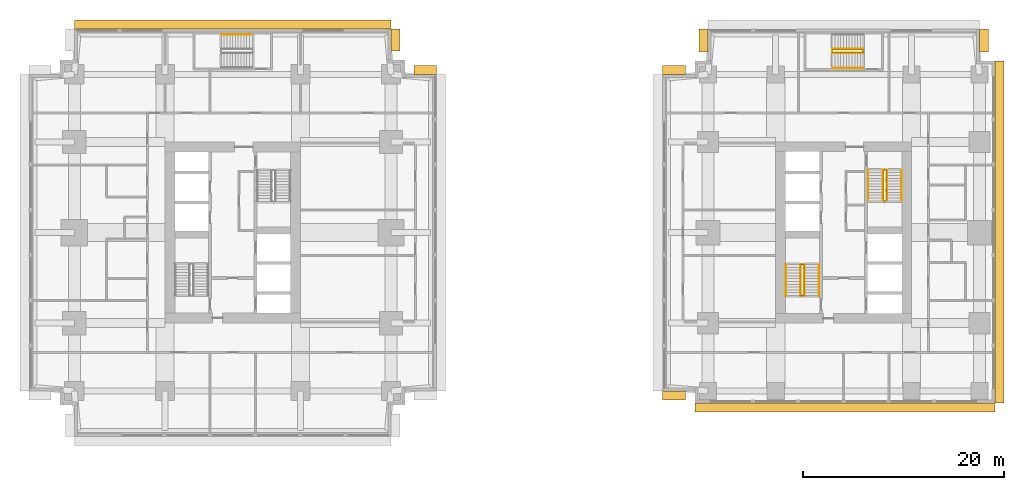
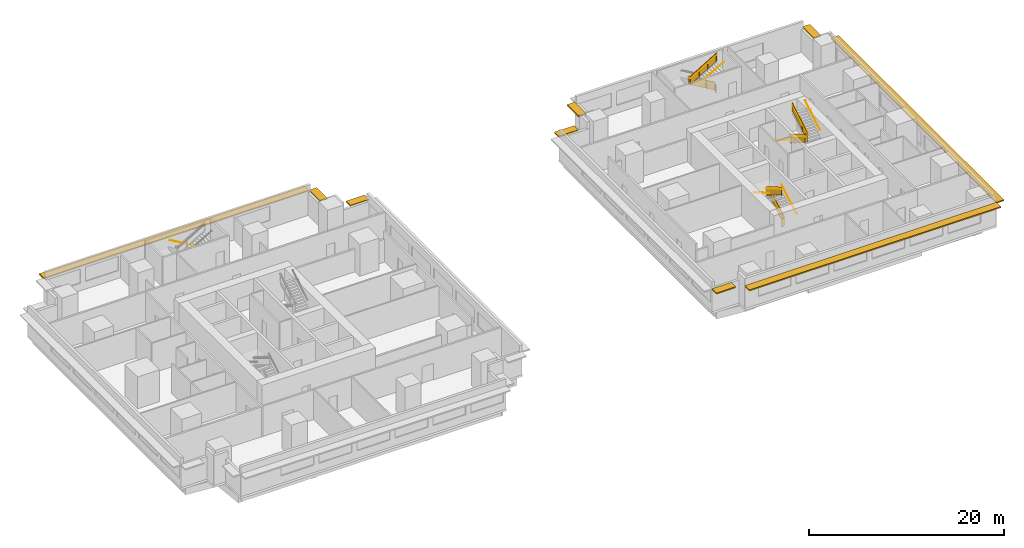
# One storey, part 10 of 11: 15 railings, 9 shading devices.
"""IFC4 building model written with IfcOpenShell, lengths in metres."""

from ifc_helpers import new_model, si_unit, direction, frame, origin, origin_2d, place, context, subcontext, project, spatial, polyline, rectangle, circle, outline, extrude, material, layer, layer_set, type_object, element, save


model = new_model("IFC4")

# Units and contexts
model_context = context("Model", 3, precision=1e-05, world=origin(), true_north=direction((0.0, 1.0)))
body_context = subcontext(model_context, "Body", "Model", "MODEL_VIEW")
ifc_project = project(units=[si_unit("LENGTHUNIT", "METRE"), si_unit("AREAUNIT", "SQUARE_METRE"), si_unit("VOLUMEUNIT", "CUBIC_METRE"), si_unit("PLANEANGLEUNIT", "RADIAN"), si_unit("MASSUNIT", "GRAM", prefix="KILO")], contexts=[model_context])

# Site, building, storey
site_placement = place(None, origin())
site = spatial("IfcSite", under=ifc_project, at=site_placement, CompositionType="ELEMENT")
building_placement = place(site_placement, origin())
building = spatial("IfcBuilding", under=site, at=building_placement, Name="Namib Vertical Campus", CompositionType="ELEMENT")
storey_placement = place(building_placement, frame((0.0, 0.0, 97.0)))
storey = spatial("IfcBuildingStorey", under=building, at=storey_placement, Name="L22", CompositionType="ELEMENT", Elevation=97.0)

# Railings
ifc_material_1 = material(Name="Steel handrail", Category="steel")
railing_type_1 = type_object("IfcRailingType", Name="Handrail 900", PredefinedType="HANDRAIL", material=ifc_material_1)
railing_1_placement = place(storey_placement, frame((78.550048828125, 14.0, 0.166748046875)))
element("IfcRailing", 1, at=railing_1_placement, inside=storey, type_object=railing_type_1, Name="Handrail HR1 B-S1 L22 1", PredefinedType="HANDRAIL", context=body_context, shape_type="SweptSolid", body=[
    extrude(circle(Radius=0.02392578125, at=origin_2d()), frame((0.0, 0.0, 0.8759765625), z_axis=(0.0, 0.859308565015, 0.511457515432), x_axis=(-1.0, 0.0, 0.0)), (0.0, 0.0, 1.0), 3.58447265625),
    extrude(circle(Radius=0.008056640625, at=origin_2d()), frame((0.0, 0.0, 0.8759765625), z_axis=(1.0, 0.0, 0.0), x_axis=(0.0, 0.0, 1.0)), (0.0, 0.0, 1.0), 0.050048828125),
    extrude(circle(Radius=0.008056640625, at=origin_2d()), frame((0.0, 1.026611328125, 1.48681640625), z_axis=(1.0, 0.0, 0.0), x_axis=(0.0, 0.0, 1.0)), (0.0, 0.0, 1.0), 0.050048828125),
    extrude(circle(Radius=0.008056640625, at=origin_2d()), frame((0.0, 2.053466796875, 2.09814453125), z_axis=(1.0, 0.0, 0.0), x_axis=(0.0, 0.0, 1.0)), (0.0, 0.0, 1.0), 0.050048828125),
    extrude(circle(Radius=0.008056640625, at=origin_2d()), frame((0.0, 3.080078125, 2.708984375), z_axis=(1.0, 0.0, 0.0), x_axis=(0.0, 0.0, 1.0)), (0.0, 0.0, 1.0), 0.050048828125),
])
railing_2_placement = place(storey_placement, frame((75.25, 17.080078125, 2.166748046875)))
element("IfcRailing", 2, at=railing_2_placement, inside=storey, type_object=railing_type_1, Name="Handrail HR1 B-S1 L22 2", PredefinedType="HANDRAIL", context=body_context, shape_type="SweptSolid", body=[
    extrude(circle(Radius=0.02392578125, at=origin_2d()), frame((0.0, 0.0, 0.8759765625), z_axis=(0.0, -0.859308565015, 0.511457515432), x_axis=(1.0, 0.0, 0.0)), (0.0, 0.0, 1.0), 3.58447265625),
    extrude(circle(Radius=0.008056640625, at=origin_2d()), frame((0.0, 0.0, 0.8759765625), z_axis=(-1.0, 0.0, 0.0), x_axis=(0.0, 0.0, 1.0)), (0.0, 0.0, 1.0), 0.050048828125),
    extrude(circle(Radius=0.008056640625, at=origin_2d()), frame((0.0, -1.026611328125, 1.48681640625), z_axis=(-1.0, 0.0, 0.0), x_axis=(0.0, 0.0, 1.0)), (0.0, 0.0, 1.0), 0.050048828125),
    extrude(circle(Radius=0.008056640625, at=origin_2d()), frame((0.0, -2.053466796875, 2.09814453125), z_axis=(-1.0, 0.0, 0.0), x_axis=(0.0, 0.0, 1.0)), (0.0, 0.0, 1.0), 0.050048828125),
    extrude(circle(Radius=0.008056640625, at=origin_2d()), frame((0.0, -3.080078125, 2.708984375), z_axis=(-1.0, 0.0, 0.0), x_axis=(0.0, 0.0, 1.0)), (0.0, 0.0, 1.0), 0.050048828125),
])
railing_3_placement = place(storey_placement, frame((77.10009765625, 14.0, 0.166748046875)))
element("IfcRailing", 3, at=railing_3_placement, inside=storey, type_object=railing_type_1, Name="Handrail HR1 B-S1 L22 1 at the well", PredefinedType="HANDRAIL", context=body_context, shape_type="SweptSolid", body=[
    extrude(circle(Radius=0.02392578125, at=origin_2d()), frame((0.0, 0.0, 0.8759765625), z_axis=(0.0, 0.859308565015, 0.511457515432), x_axis=(-1.0, 0.0, 0.0)), (0.0, 0.0, 1.0), 3.58447265625),
    extrude(circle(Radius=0.008056640625, at=origin_2d()), frame((0.0, 0.0, 0.8759765625), z_axis=(-1.0, 0.0, 0.0), x_axis=(0.0, 0.0, 1.0)), (0.0, 0.0, 1.0), 0.0400390625),
    extrude(circle(Radius=0.008056640625, at=origin_2d()), frame((0.0, 1.026611328125, 1.48681640625), z_axis=(-1.0, 0.0, 0.0), x_axis=(0.0, 0.0, 1.0)), (0.0, 0.0, 1.0), 0.0400390625),
    extrude(circle(Radius=0.008056640625, at=origin_2d()), frame((0.0, 2.053466796875, 2.09814453125), z_axis=(-1.0, 0.0, 0.0), x_axis=(0.0, 0.0, 1.0)), (0.0, 0.0, 1.0), 0.0400390625),
    extrude(circle(Radius=0.008056640625, at=origin_2d()), frame((0.0, 3.080078125, 2.708984375), z_axis=(-1.0, 0.0, 0.0), x_axis=(0.0, 0.0, 1.0)), (0.0, 0.0, 1.0), 0.0400390625),
])
railing_4_placement = place(storey_placement, frame((76.699951171875, 17.080078125, 2.166748046875)))
element("IfcRailing", 4, at=railing_4_placement, inside=storey, type_object=railing_type_1, Name="Handrail HR1 B-S1 L22 2 at the well", PredefinedType="HANDRAIL", context=body_context, shape_type="SweptSolid", body=[
    extrude(circle(Radius=0.02392578125, at=origin_2d()), frame((0.0, 0.0, 0.8759765625), z_axis=(0.0, -0.859308565015, 0.511457515432), x_axis=(1.0, 0.0, 0.0)), (0.0, 0.0, 1.0), 3.58447265625),
    extrude(circle(Radius=0.008056640625, at=origin_2d()), frame((0.0, 0.0, 0.8759765625), z_axis=(1.0, 0.0, 0.0), x_axis=(0.0, 0.0, 1.0)), (0.0, 0.0, 1.0), 0.0400390625),
    extrude(circle(Radius=0.008056640625, at=origin_2d()), frame((0.0, -1.026611328125, 1.48681640625), z_axis=(1.0, 0.0, 0.0), x_axis=(0.0, 0.0, 1.0)), (0.0, 0.0, 1.0), 0.0400390625),
    extrude(circle(Radius=0.008056640625, at=origin_2d()), frame((0.0, -2.053466796875, 2.09814453125), z_axis=(1.0, 0.0, 0.0), x_axis=(0.0, 0.0, 1.0)), (0.0, 0.0, 1.0), 0.0400390625),
    extrude(circle(Radius=0.008056640625, at=origin_2d()), frame((0.0, -3.080078125, 2.708984375), z_axis=(1.0, 0.0, 0.0), x_axis=(0.0, 0.0, 1.0)), (0.0, 0.0, 1.0), 0.0400390625),
])
railing_5_placement = place(storey_placement, frame((83.449951171875, 26.5, 0.166748046875)))
element("IfcRailing", 5, at=railing_5_placement, inside=storey, type_object=railing_type_1, Name="Handrail HR1 B-S2 L22 1", PredefinedType="HANDRAIL", context=body_context, shape_type="SweptSolid", body=[
    extrude(circle(Radius=0.02392578125, at=origin_2d()), frame((0.0, 0.0, 0.8759765625), z_axis=(0.0, -0.859308565015, 0.511457515432), x_axis=(1.0, 0.0, 0.0)), (0.0, 0.0, 1.0), 3.58447265625),
    extrude(circle(Radius=0.008056640625, at=origin_2d()), frame((0.0, 0.0, 0.8759765625), z_axis=(-1.0, 0.0, 0.0), x_axis=(0.0, 0.0, 1.0)), (0.0, 0.0, 1.0), 0.050048828125),
    extrude(circle(Radius=0.008056640625, at=origin_2d()), frame((0.0, -1.026611328125, 1.48681640625), z_axis=(-1.0, 0.0, 0.0), x_axis=(0.0, 0.0, 1.0)), (0.0, 0.0, 1.0), 0.050048828125),
    extrude(circle(Radius=0.008056640625, at=origin_2d()), frame((0.0, -2.053466796875, 2.09814453125), z_axis=(-1.0, 0.0, 0.0), x_axis=(0.0, 0.0, 1.0)), (0.0, 0.0, 1.0), 0.050048828125),
    extrude(circle(Radius=0.008056640625, at=origin_2d()), frame((0.0, -3.080078125, 2.708984375), z_axis=(-1.0, 0.0, 0.0), x_axis=(0.0, 0.0, 1.0)), (0.0, 0.0, 1.0), 0.050048828125),
])
railing_6_placement = place(storey_placement, frame((86.75, 23.419921875, 2.166748046875)))
element("IfcRailing", 6, at=railing_6_placement, inside=storey, type_object=railing_type_1, Name="Handrail HR1 B-S2 L22 2", PredefinedType="HANDRAIL", context=body_context, shape_type="SweptSolid", body=[
    extrude(circle(Radius=0.02392578125, at=origin_2d()), frame((0.0, 0.0, 0.8759765625), z_axis=(0.0, 0.859308565015, 0.511457515432), x_axis=(-1.0, 0.0, 0.0)), (0.0, 0.0, 1.0), 3.58447265625),
    extrude(circle(Radius=0.008056640625, at=origin_2d()), frame((0.0, 0.0, 0.8759765625), z_axis=(1.0, 0.0, 0.0), x_axis=(0.0, 0.0, 1.0)), (0.0, 0.0, 1.0), 0.050048828125),
    extrude(circle(Radius=0.008056640625, at=origin_2d()), frame((0.0, 1.026611328125, 1.48681640625), z_axis=(1.0, 0.0, 0.0), x_axis=(0.0, 0.0, 1.0)), (0.0, 0.0, 1.0), 0.050048828125),
    extrude(circle(Radius=0.008056640625, at=origin_2d()), frame((0.0, 2.053466796875, 2.09814453125), z_axis=(1.0, 0.0, 0.0), x_axis=(0.0, 0.0, 1.0)), (0.0, 0.0, 1.0), 0.050048828125),
    extrude(circle(Radius=0.008056640625, at=origin_2d()), frame((0.0, 3.080078125, 2.708984375), z_axis=(1.0, 0.0, 0.0), x_axis=(0.0, 0.0, 1.0)), (0.0, 0.0, 1.0), 0.050048828125),
])
railing_7_placement = place(storey_placement, frame((84.89990234375, 26.5, 0.166748046875)))
element("IfcRailing", 7, at=railing_7_placement, inside=storey, type_object=railing_type_1, Name="Handrail HR1 B-S2 L22 1 at the well", PredefinedType="HANDRAIL", context=body_context, shape_type="SweptSolid", body=[
    extrude(circle(Radius=0.02392578125, at=origin_2d()), frame((0.0, 0.0, 0.8759765625), z_axis=(0.0, -0.859308565015, 0.511457515432), x_axis=(1.0, 0.0, 0.0)), (0.0, 0.0, 1.0), 3.58447265625),
    extrude(circle(Radius=0.008056640625, at=origin_2d()), frame((0.0, 0.0, 0.8759765625), z_axis=(1.0, 0.0, 0.0), x_axis=(0.0, 0.0, 1.0)), (0.0, 0.0, 1.0), 0.0400390625),
    extrude(circle(Radius=0.008056640625, at=origin_2d()), frame((0.0, -1.026611328125, 1.48681640625), z_axis=(1.0, 0.0, 0.0), x_axis=(0.0, 0.0, 1.0)), (0.0, 0.0, 1.0), 0.0400390625),
    extrude(circle(Radius=0.008056640625, at=origin_2d()), frame((0.0, -2.053466796875, 2.09814453125), z_axis=(1.0, 0.0, 0.0), x_axis=(0.0, 0.0, 1.0)), (0.0, 0.0, 1.0), 0.0400390625),
    extrude(circle(Radius=0.008056640625, at=origin_2d()), frame((0.0, -3.080078125, 2.708984375), z_axis=(1.0, 0.0, 0.0), x_axis=(0.0, 0.0, 1.0)), (0.0, 0.0, 1.0), 0.0400390625),
])
railing_8_placement = place(storey_placement, frame((85.300048828125, 23.419921875, 2.166748046875)))
element("IfcRailing", 8, at=railing_8_placement, inside=storey, type_object=railing_type_1, Name="Handrail HR1 B-S2 L22 2 at the well", PredefinedType="HANDRAIL", context=body_context, shape_type="SweptSolid", body=[
    extrude(circle(Radius=0.02392578125, at=origin_2d()), frame((0.0, 0.0, 0.8759765625), z_axis=(0.0, 0.859308565015, 0.511457515432), x_axis=(-1.0, 0.0, 0.0)), (0.0, 0.0, 1.0), 3.58447265625),
    extrude(circle(Radius=0.008056640625, at=origin_2d()), frame((0.0, 0.0, 0.8759765625), z_axis=(-1.0, 0.0, 0.0), x_axis=(0.0, 0.0, 1.0)), (0.0, 0.0, 1.0), 0.0400390625),
    extrude(circle(Radius=0.008056640625, at=origin_2d()), frame((0.0, 1.026611328125, 1.48681640625), z_axis=(-1.0, 0.0, 0.0), x_axis=(0.0, 0.0, 1.0)), (0.0, 0.0, 1.0), 0.0400390625),
    extrude(circle(Radius=0.008056640625, at=origin_2d()), frame((0.0, 2.053466796875, 2.09814453125), z_axis=(-1.0, 0.0, 0.0), x_axis=(0.0, 0.0, 1.0)), (0.0, 0.0, 1.0), 0.0400390625),
    extrude(circle(Radius=0.008056640625, at=origin_2d()), frame((0.0, 3.080078125, 2.708984375), z_axis=(-1.0, 0.0, 0.0), x_axis=(0.0, 0.0, 1.0)), (0.0, 0.0, 1.0), 0.0400390625),
])
railing_9_placement = place(storey_placement, frame((22.199951171875, 39.949951171875, 0.166748046875)))
element("IfcRailing", 9, at=railing_9_placement, inside=storey, type_object=railing_type_1, Name="Handrail HR1 A-S3 L22 1", PredefinedType="HANDRAIL", context=body_context, shape_type="SweptSolid", body=[
    extrude(circle(Radius=0.02392578125, at=origin_2d()), frame((0.0, 0.0, 0.8759765625), z_axis=(-0.859290745958, 0.0, 0.51148745235), x_axis=(0.0, -1.0, 0.0)), (0.0, 0.0, 1.0), 3.584228515625),
    extrude(circle(Radius=0.008056640625, at=origin_2d()), frame((0.0, 0.0, 0.8759765625), z_axis=(0.0, 1.0, 0.0), x_axis=(0.0, 0.0, 1.0)), (0.0, 0.0, 1.0), 0.050048828125),
    extrude(circle(Radius=0.008056640625, at=origin_2d()), frame((-1.026611328125, 0.0, 1.48681640625), z_axis=(0.0, 1.0, 0.0), x_axis=(0.0, 0.0, 1.0)), (0.0, 0.0, 1.0), 0.050048828125),
    extrude(circle(Radius=0.008056640625, at=origin_2d()), frame((-2.05322265625, 0.0, 2.09814453125), z_axis=(0.0, 1.0, 0.0), x_axis=(0.0, 0.0, 1.0)), (0.0, 0.0, 1.0), 0.050048828125),
    extrude(circle(Radius=0.008056640625, at=origin_2d()), frame((-3.079833984375, 0.0, 2.708984375), z_axis=(0.0, 1.0, 0.0), x_axis=(0.0, 0.0, 1.0)), (0.0, 0.0, 1.0), 0.050048828125),
])
railing_10_placement = place(storey_placement, frame((79.8701171875, 36.64990234375, 2.166748046875)))
element("IfcRailing", 10, at=railing_10_placement, inside=storey, type_object=railing_type_1, Name="Handrail HR1 B-S3 L22 2", PredefinedType="HANDRAIL", context=body_context, shape_type="SweptSolid", body=[
    extrude(circle(Radius=0.02392578125, at=origin_2d()), frame((0.0, 0.0, 0.8759765625), z_axis=(0.859290745958, 0.0, 0.51148745235), x_axis=(0.0, 1.0, 0.0)), (0.0, 0.0, 1.0), 3.584228515625),
    extrude(circle(Radius=0.008056640625, at=origin_2d()), frame((0.0, 0.0, 0.8759765625), z_axis=(0.0, -1.0, 0.0), x_axis=(0.0, 0.0, 1.0)), (0.0, 0.0, 1.0), 0.050048828125),
    extrude(circle(Radius=0.008056640625, at=origin_2d()), frame((1.026611328125, 0.0, 1.48681640625), z_axis=(0.0, -1.0, 0.0), x_axis=(0.0, 0.0, 1.0)), (0.0, 0.0, 1.0), 0.050048828125),
    extrude(circle(Radius=0.008056640625, at=origin_2d()), frame((2.05322265625, 0.0, 2.09814453125), z_axis=(0.0, -1.0, 0.0), x_axis=(0.0, 0.0, 1.0)), (0.0, 0.0, 1.0), 0.050048828125),
    extrude(circle(Radius=0.008056640625, at=origin_2d()), frame((3.079833984375, 0.0, 2.708984375), z_axis=(0.0, -1.0, 0.0), x_axis=(0.0, 0.0, 1.0)), (0.0, 0.0, 1.0), 0.050048828125),
])
railing_11_placement = place(storey_placement, frame((82.949951171875, 38.5, 0.166748046875)))
element("IfcRailing", 11, at=railing_11_placement, inside=storey, type_object=railing_type_1, Name="Handrail HR1 B-S3 L22 1 at the well", PredefinedType="HANDRAIL", context=body_context, shape_type="SweptSolid", body=[
    extrude(circle(Radius=0.02392578125, at=origin_2d()), frame((0.0, 0.0, 0.8759765625), z_axis=(-0.859290745958, 0.0, 0.51148745235), x_axis=(0.0, -1.0, 0.0)), (0.0, 0.0, 1.0), 3.584228515625),
    extrude(circle(Radius=0.008056640625, at=origin_2d()), frame((0.0, 0.0, 0.8759765625), z_axis=(0.0, -1.0, 0.0), x_axis=(0.0, 0.0, 1.0)), (0.0, 0.0, 1.0), 0.0400390625),
    extrude(circle(Radius=0.008056640625, at=origin_2d()), frame((-1.026611328125, 0.0, 1.48681640625), z_axis=(0.0, -1.0, 0.0), x_axis=(0.0, 0.0, 1.0)), (0.0, 0.0, 1.0), 0.0400390625),
    extrude(circle(Radius=0.008056640625, at=origin_2d()), frame((-2.05322265625, 0.0, 2.09814453125), z_axis=(0.0, -1.0, 0.0), x_axis=(0.0, 0.0, 1.0)), (0.0, 0.0, 1.0), 0.0400390625),
    extrude(circle(Radius=0.008056640625, at=origin_2d()), frame((-3.079833984375, 0.0, 2.708984375), z_axis=(0.0, -1.0, 0.0), x_axis=(0.0, 0.0, 1.0)), (0.0, 0.0, 1.0), 0.0400390625),
])
railing_12_placement = place(storey_placement, frame((79.8701171875, 38.10009765625, 2.166748046875)))
element("IfcRailing", 12, at=railing_12_placement, inside=storey, type_object=railing_type_1, Name="Handrail HR1 B-S3 L22 2 at the well", PredefinedType="HANDRAIL", context=body_context, shape_type="SweptSolid", body=[
    extrude(circle(Radius=0.02392578125, at=origin_2d()), frame((0.0, 0.0, 0.8759765625), z_axis=(0.859290745958, 0.0, 0.51148745235), x_axis=(0.0, 1.0, 0.0)), (0.0, 0.0, 1.0), 3.584228515625),
    extrude(circle(Radius=0.008056640625, at=origin_2d()), frame((0.0, 0.0, 0.8759765625), z_axis=(0.0, 1.0, 0.0), x_axis=(0.0, 0.0, 1.0)), (0.0, 0.0, 1.0), 0.0400390625),
    extrude(circle(Radius=0.008056640625, at=origin_2d()), frame((1.026611328125, 0.0, 1.48681640625), z_axis=(0.0, 1.0, 0.0), x_axis=(0.0, 0.0, 1.0)), (0.0, 0.0, 1.0), 0.0400390625),
    extrude(circle(Radius=0.008056640625, at=origin_2d()), frame((2.05322265625, 0.0, 2.09814453125), z_axis=(0.0, 1.0, 0.0), x_axis=(0.0, 0.0, 1.0)), (0.0, 0.0, 1.0), 0.0400390625),
    extrude(circle(Radius=0.008056640625, at=origin_2d()), frame((3.079833984375, 0.0, 2.708984375), z_axis=(0.0, 1.0, 0.0), x_axis=(0.0, 0.0, 1.0)), (0.0, 0.0, 1.0), 0.0400390625),
])
ifc_material_2 = material(Name="Steel balustrade", Category="steel")
railing_type_2 = type_object("IfcRailingType", Name="Stair guard 1100", PredefinedType="GUARDRAIL", material=ifc_material_2)
railing_13_placement = place(storey_placement, frame((76.75, 14.0, 0.0)))
element("IfcRailing", 13, at=railing_13_placement, inside=storey, type_object=railing_type_2, Name="Stair guard GR1 B-S1 L22", PredefinedType="GUARDRAIL", context=body_context, shape_type="SweptSolid", body=[
    extrude(circle(Radius=0.02392578125, at=origin_2d()), frame((0.0, 0.0, 1.076171875), z_axis=(1.0, 0.0, 0.0), x_axis=(0.0, 1.0, 0.0)), (0.0, 0.0, 1.0), 0.300048828125),
    extrude(outline(polyline([(0.02099609375, 0.050048828125), (0.279052734375, 0.050048828125), (0.279052734375, 1.052001953125), (0.02099609375, 1.052001953125), (0.02099609375, 0.050048828125)])), frame((0.0, 0.010009765625, 0.0), z_axis=(0.0, -1.0, 0.0), x_axis=(1.0, 0.0, 0.0)), (0.0, 0.0, 1.0), 0.02001953125),
    extrude(circle(Radius=0.02392578125, at=origin_2d()), frame((0.300048828125, 0.0, 1.076171875), z_axis=(0.0, 0.0, 1.0), x_axis=(1.0, 0.0, 0.0)), (0.0, 0.0, 1.0), 0.166748046875),
    extrude(circle(Radius=0.02392578125, at=origin_2d()), frame((0.300048828125, 0.0, 1.24267578125), z_axis=(0.0, 0.859308565015, 0.511457515432), x_axis=(-1.0, 0.0, 0.0)), (0.0, 0.0, 1.0), 3.58447265625),
    extrude(outline(polyline([(0.02099609375, 0.0625), (3.05908203125, 1.870849609375), (3.05908203125, 2.872802734375), (0.02099609375, 1.064453125), (0.02099609375, 0.0625)])), frame((0.2900390625, 0.0, 0.166748046875), z_axis=(1.0, 0.0, 0.0), x_axis=(0.0, 1.0, 0.0)), (0.0, 0.0, 1.0), 0.02001953125),
    extrude(circle(Radius=0.02392578125, at=origin_2d()), frame((0.300048828125, 3.080078125, 3.076171875), z_axis=(-1.0, 0.0, 0.0), x_axis=(0.0, -1.0, 0.0)), (0.0, 0.0, 1.0), 0.300048828125),
    extrude(outline(polyline([(0.02099609375, 0.050048828125), (0.279052734375, 0.050048828125), (0.279052734375, 1.052001953125), (0.02099609375, 1.052001953125), (0.02099609375, 0.050048828125)])), frame((0.300048828125, 3.070068359375, 2.0), z_axis=(0.0, 1.0, 0.0), x_axis=(-1.0, 0.0, 0.0)), (0.0, 0.0, 1.0), 0.02001953125),
    extrude(circle(Radius=0.02392578125, at=origin_2d()), frame((0.0, 3.080078125, 3.076171875), z_axis=(0.0, 0.0, 1.0), x_axis=(1.0, 0.0, 0.0)), (0.0, 0.0, 1.0), 0.166748046875),
    extrude(circle(Radius=0.02392578125, at=origin_2d()), frame((0.0, 3.080078125, 3.24267578125), z_axis=(0.0, -0.859308565015, 0.511457515432), x_axis=(1.0, 0.0, 0.0)), (0.0, 0.0, 1.0), 3.58447265625),
    extrude(outline(polyline([(0.02099609375, 0.0625), (3.05908203125, 1.870849609375), (3.05908203125, 2.872802734375), (0.02099609375, 1.064453125), (0.02099609375, 0.0625)])), frame((0.010009765625, 3.080078125, 2.166748046875), z_axis=(-1.0, 0.0, 0.0), x_axis=(0.0, -1.0, 0.0)), (0.0, 0.0, 1.0), 0.02001953125),
    extrude(circle(Radius=0.02392578125, at=origin_2d()), frame((0.0, 0.0, 5.076171875), z_axis=(0.0, -1.0, 0.0), x_axis=(1.0, 0.0, 0.0)), (0.0, 0.0, 1.0), 0.050048828125),
    extrude(outline(polyline([(0.02099609375, 0.050048828125), (0.029052734375, 0.050048828125), (0.029052734375, 1.052001953125), (0.02099609375, 1.052001953125), (0.02099609375, 0.050048828125)])), frame((0.010009765625, 0.0, 4.0), z_axis=(-1.0, 0.0, 0.0), x_axis=(0.0, -1.0, 0.0)), (0.0, 0.0, 1.0), 0.02001953125),
    extrude(circle(Radius=0.02099609375, at=origin_2d()), origin(), (0.0, 0.0, 1.0), 1.052001953125),
    extrude(circle(Radius=0.02099609375, at=origin_2d()), frame((0.300048828125, 0.0, 0.166748046875)), (0.0, 0.0, 1.0), 1.052001953125),
    extrude(circle(Radius=0.02099609375, at=origin_2d()), frame((0.300048828125, 1.026611328125, 0.666748046875)), (0.0, 0.0, 1.0), 1.1630859375),
    extrude(circle(Radius=0.02099609375, at=origin_2d()), frame((0.300048828125, 2.053466796875, 1.33349609375)), (0.0, 0.0, 1.0), 1.107421875),
    extrude(circle(Radius=0.02099609375, at=origin_2d()), frame((0.300048828125, 3.080078125, 2.0)), (0.0, 0.0, 1.0), 1.052001953125),
    extrude(circle(Radius=0.02099609375, at=origin_2d()), frame((0.0, 3.080078125, 2.166748046875)), (0.0, 0.0, 1.0), 1.052001953125),
    extrude(circle(Radius=0.02099609375, at=origin_2d()), frame((0.0, 2.053466796875, 2.666748046875)), (0.0, 0.0, 1.0), 1.1630859375),
    extrude(circle(Radius=0.02099609375, at=origin_2d()), frame((0.0, 1.026611328125, 3.33349609375)), (0.0, 0.0, 1.0), 1.107421875),
    extrude(circle(Radius=0.02099609375, at=origin_2d()), frame((0.0, 0.0, 4.0)), (0.0, 0.0, 1.0), 1.052001953125),
    extrude(circle(Radius=0.02099609375, at=origin_2d()), frame((0.0, -0.050048828125, 4.0)), (0.0, 0.0, 1.0), 1.052001953125),
])
railing_14_placement = place(storey_placement, frame((85.25, 26.5, 0.0)))
element("IfcRailing", 14, at=railing_14_placement, inside=storey, type_object=railing_type_2, Name="Stair guard GR1 B-S2 L22", PredefinedType="GUARDRAIL", context=body_context, shape_type="SweptSolid", body=[
    extrude(circle(Radius=0.02392578125, at=origin_2d()), frame((0.0, 0.0, 1.076171875), z_axis=(-1.0, 0.0, 0.0), x_axis=(0.0, -1.0, 0.0)), (0.0, 0.0, 1.0), 0.300048828125),
    extrude(outline(polyline([(0.02099609375, 0.050048828125), (0.279052734375, 0.050048828125), (0.279052734375, 1.052001953125), (0.02099609375, 1.052001953125), (0.02099609375, 0.050048828125)])), frame((0.0, -0.010009765625, 0.0), z_axis=(0.0, 1.0, 0.0), x_axis=(-1.0, 0.0, 0.0)), (0.0, 0.0, 1.0), 0.02001953125),
    extrude(circle(Radius=0.02392578125, at=origin_2d()), frame((-0.300048828125, 0.0, 1.076171875), z_axis=(0.0, 0.0, 1.0), x_axis=(1.0, 0.0, 0.0)), (0.0, 0.0, 1.0), 0.166748046875),
    extrude(circle(Radius=0.02392578125, at=origin_2d()), frame((-0.300048828125, 0.0, 1.24267578125), z_axis=(0.0, -0.859308565015, 0.511457515432), x_axis=(1.0, 0.0, 0.0)), (0.0, 0.0, 1.0), 3.58447265625),
    extrude(outline(polyline([(0.02099609375, 0.0625), (3.05908203125, 1.870849609375), (3.05908203125, 2.872802734375), (0.02099609375, 1.064453125), (0.02099609375, 0.0625)])), frame((-0.2900390625, 0.0, 0.166748046875), z_axis=(-1.0, 0.0, 0.0), x_axis=(0.0, -1.0, 0.0)), (0.0, 0.0, 1.0), 0.02001953125),
    extrude(circle(Radius=0.02392578125, at=origin_2d()), frame((-0.300048828125, -3.080078125, 3.076171875), z_axis=(1.0, 0.0, 0.0), x_axis=(0.0, 1.0, 0.0)), (0.0, 0.0, 1.0), 0.300048828125),
    extrude(outline(polyline([(0.02099609375, 0.050048828125), (0.279052734375, 0.050048828125), (0.279052734375, 1.052001953125), (0.02099609375, 1.052001953125), (0.02099609375, 0.050048828125)])), frame((-0.300048828125, -3.070068359375, 2.0), z_axis=(0.0, -1.0, 0.0), x_axis=(1.0, 0.0, 0.0)), (0.0, 0.0, 1.0), 0.02001953125),
    extrude(circle(Radius=0.02392578125, at=origin_2d()), frame((0.0, -3.080078125, 3.076171875), z_axis=(0.0, 0.0, 1.0), x_axis=(1.0, 0.0, 0.0)), (0.0, 0.0, 1.0), 0.166748046875),
    extrude(circle(Radius=0.02392578125, at=origin_2d()), frame((0.0, -3.080078125, 3.24267578125), z_axis=(0.0, 0.859308565015, 0.511457515432), x_axis=(-1.0, 0.0, 0.0)), (0.0, 0.0, 1.0), 3.58447265625),
    extrude(outline(polyline([(0.02099609375, 0.0625), (3.05908203125, 1.870849609375), (3.05908203125, 2.872802734375), (0.02099609375, 1.064453125), (0.02099609375, 0.0625)])), frame((-0.010009765625, -3.080078125, 2.166748046875), z_axis=(1.0, 0.0, 0.0), x_axis=(0.0, 1.0, 0.0)), (0.0, 0.0, 1.0), 0.02001953125),
    extrude(circle(Radius=0.02392578125, at=origin_2d()), frame((0.0, 0.0, 5.076171875), z_axis=(0.0, 1.0, 0.0), x_axis=(-1.0, 0.0, 0.0)), (0.0, 0.0, 1.0), 0.050048828125),
    extrude(outline(polyline([(0.02099609375, 0.050048828125), (0.029052734375, 0.050048828125), (0.029052734375, 1.052001953125), (0.02099609375, 1.052001953125), (0.02099609375, 0.050048828125)])), frame((-0.010009765625, 0.0, 4.0), z_axis=(1.0, 0.0, 0.0), x_axis=(0.0, 1.0, 0.0)), (0.0, 0.0, 1.0), 0.02001953125),
    extrude(circle(Radius=0.02099609375, at=origin_2d()), origin(), (0.0, 0.0, 1.0), 1.052001953125),
    extrude(circle(Radius=0.02099609375, at=origin_2d()), frame((-0.300048828125, 0.0, 0.166748046875)), (0.0, 0.0, 1.0), 1.052001953125),
    extrude(circle(Radius=0.02099609375, at=origin_2d()), frame((-0.300048828125, -1.026611328125, 0.666748046875)), (0.0, 0.0, 1.0), 1.1630859375),
    extrude(circle(Radius=0.02099609375, at=origin_2d()), frame((-0.300048828125, -2.053466796875, 1.33349609375)), (0.0, 0.0, 1.0), 1.107421875),
    extrude(circle(Radius=0.02099609375, at=origin_2d()), frame((-0.300048828125, -3.080078125, 2.0)), (0.0, 0.0, 1.0), 1.052001953125),
    extrude(circle(Radius=0.02099609375, at=origin_2d()), frame((0.0, -3.080078125, 2.166748046875)), (0.0, 0.0, 1.0), 1.052001953125),
    extrude(circle(Radius=0.02099609375, at=origin_2d()), frame((0.0, -2.053466796875, 2.666748046875)), (0.0, 0.0, 1.0), 1.1630859375),
    extrude(circle(Radius=0.02099609375, at=origin_2d()), frame((0.0, -1.026611328125, 3.33349609375)), (0.0, 0.0, 1.0), 1.107421875),
    extrude(circle(Radius=0.02099609375, at=origin_2d()), frame((0.0, 0.0, 4.0)), (0.0, 0.0, 1.0), 1.052001953125),
    extrude(circle(Radius=0.02099609375, at=origin_2d()), frame((0.0, 0.050048828125, 4.0)), (0.0, 0.0, 1.0), 1.052001953125),
])
railing_15_placement = place(storey_placement, frame((82.949951171875, 38.14990234375, 0.0)))
element("IfcRailing", 15, at=railing_15_placement, inside=storey, type_object=railing_type_2, Name="Stair guard GR1 B-S3 L22", PredefinedType="GUARDRAIL", context=body_context, shape_type="SweptSolid", body=[
    extrude(circle(Radius=0.02392578125, at=origin_2d()), frame((0.0, 0.0, 1.076171875), z_axis=(0.0, 1.0, 0.0), x_axis=(-1.0, 0.0, 0.0)), (0.0, 0.0, 1.0), 0.300048828125),
    extrude(outline(polyline([(0.02099609375, 0.050048828125), (0.279052734375, 0.050048828125), (0.279052734375, 1.052001953125), (0.02099609375, 1.052001953125), (0.02099609375, 0.050048828125)])), frame((-0.010009765625, 0.0, 0.0), z_axis=(1.0, 0.0, 0.0), x_axis=(0.0, 1.0, 0.0)), (0.0, 0.0, 1.0), 0.02001953125),
    extrude(circle(Radius=0.02392578125, at=origin_2d()), frame((0.0, 0.300048828125, 1.076171875), z_axis=(0.0, 0.0, 1.0), x_axis=(1.0, 0.0, 0.0)), (0.0, 0.0, 1.0), 0.166748046875),
    extrude(circle(Radius=0.02392578125, at=origin_2d()), frame((0.0, 0.300048828125, 1.24267578125), z_axis=(-0.859290745958, 0.0, 0.51148745235), x_axis=(0.0, -1.0, 0.0)), (0.0, 0.0, 1.0), 3.584228515625),
    extrude(outline(polyline([(0.02099609375, 0.0625), (3.058837890625, 1.870849609375), (3.058837890625, 2.872802734375), (0.02099609375, 1.064453125), (0.02099609375, 0.0625)])), frame((0.0, 0.2900390625, 0.166748046875), z_axis=(0.0, 1.0, 0.0), x_axis=(-1.0, 0.0, 0.0)), (0.0, 0.0, 1.0), 0.02001953125),
    extrude(circle(Radius=0.02392578125, at=origin_2d()), frame((-3.079833984375, 0.300048828125, 3.076171875), z_axis=(0.0, -1.0, 0.0), x_axis=(1.0, 0.0, 0.0)), (0.0, 0.0, 1.0), 0.300048828125),
    extrude(outline(polyline([(0.02099609375, 0.050048828125), (0.279052734375, 0.050048828125), (0.279052734375, 1.052001953125), (0.02099609375, 1.052001953125), (0.02099609375, 0.050048828125)])), frame((-3.06982421875, 0.300048828125, 2.0), z_axis=(-1.0, 0.0, 0.0), x_axis=(0.0, -1.0, 0.0)), (0.0, 0.0, 1.0), 0.02001953125),
    extrude(circle(Radius=0.02392578125, at=origin_2d()), frame((-3.079833984375, 0.0, 3.076171875), z_axis=(0.0, 0.0, 1.0), x_axis=(1.0, 0.0, 0.0)), (0.0, 0.0, 1.0), 0.166748046875),
    extrude(circle(Radius=0.02392578125, at=origin_2d()), frame((-3.079833984375, 0.0, 3.24267578125), z_axis=(0.859290745958, 0.0, 0.51148745235), x_axis=(0.0, 1.0, 0.0)), (0.0, 0.0, 1.0), 3.584228515625),
    extrude(outline(polyline([(0.02099609375, 0.0625), (3.058837890625, 1.870849609375), (3.058837890625, 2.872802734375), (0.02099609375, 1.064453125), (0.02099609375, 0.0625)])), frame((-3.079833984375, 0.010009765625, 2.166748046875), z_axis=(0.0, -1.0, 0.0), x_axis=(1.0, 0.0, 0.0)), (0.0, 0.0, 1.0), 0.02001953125),
    extrude(circle(Radius=0.02392578125, at=origin_2d()), frame((0.0, 0.0, 5.076171875), z_axis=(1.0, 0.0, 0.0), x_axis=(0.0, 1.0, 0.0)), (0.0, 0.0, 1.0), 0.050048828125),
    extrude(outline(polyline([(0.02099609375, 0.050048828125), (0.029052734375, 0.050048828125), (0.029052734375, 1.052001953125), (0.02099609375, 1.052001953125), (0.02099609375, 0.050048828125)])), frame((0.0, 0.010009765625, 4.0), z_axis=(0.0, -1.0, 0.0), x_axis=(1.0, 0.0, 0.0)), (0.0, 0.0, 1.0), 0.02001953125),
    extrude(circle(Radius=0.02099609375, at=origin_2d()), origin(), (0.0, 0.0, 1.0), 1.052001953125),
    extrude(circle(Radius=0.02099609375, at=origin_2d()), frame((0.0, 0.300048828125, 0.166748046875)), (0.0, 0.0, 1.0), 1.052001953125),
    extrude(circle(Radius=0.02099609375, at=origin_2d()), frame((-1.026611328125, 0.300048828125, 0.666748046875)), (0.0, 0.0, 1.0), 1.1630859375),
    extrude(circle(Radius=0.02099609375, at=origin_2d()), frame((-2.05322265625, 0.300048828125, 1.33349609375)), (0.0, 0.0, 1.0), 1.107421875),
    extrude(circle(Radius=0.02099609375, at=origin_2d()), frame((-3.079833984375, 0.300048828125, 2.0)), (0.0, 0.0, 1.0), 1.052001953125),
    extrude(circle(Radius=0.02099609375, at=origin_2d()), frame((-3.079833984375, 0.0, 2.166748046875)), (0.0, 0.0, 1.0), 1.052001953125),
    extrude(circle(Radius=0.02099609375, at=origin_2d()), frame((-2.05322265625, 0.0, 2.666748046875)), (0.0, 0.0, 1.0), 1.1630859375),
    extrude(circle(Radius=0.02099609375, at=origin_2d()), frame((-1.026611328125, 0.0, 3.33349609375)), (0.0, 0.0, 1.0), 1.107421875),
    extrude(circle(Radius=0.02099609375, at=origin_2d()), frame((0.0, 0.0, 4.0)), (0.0, 0.0, 1.0), 1.052001953125),
    extrude(circle(Radius=0.02099609375, at=origin_2d()), frame((0.050048828125, 0.0, 4.0)), (0.0, 0.0, 1.0), 1.052001953125),
])

# Shading devices
ifc_material_3 = material(Name="Concrete C40/50 precast", Category="concrete")
ifc_layer = layer(ifc_material_3, 0.14990234375)
ifc_layer_set = layer_set([ifc_layer], Name="Concrete C40/50 precast")
shading_device_type = type_object("IfcShadingDeviceType", Name="Sunshade hood 900", PredefinedType="SHUTTER", material=ifc_layer_set)
for number, where, z_axis, x_axis, name in (
    (16, (39.39990234375, 36.449951171875, 2.75), (0.0, 0.0, 1.0), (-1.0, 0.0, 0.0), "Sunshade SH1 L22 7"),
    (17, (36.449951171875, 39.39990234375, 2.75), (0.0, 0.0, 1.0), (0.0, 1.0, 0.0), "Sunshade SH1 L22 10"),
):
    element("IfcShadingDevice", number, at=place(storey_placement, frame(where, z_axis=z_axis, x_axis=x_axis)), inside=storey, type_object=shading_device_type, Name=name, PredefinedType="SHUTTER", context=body_context, shape_type="SweptSolid", body=[
        extrude(rectangle(XDim=2.199951171875, YDim=0.89990234375, at=origin_2d()), origin(), (0.0, 0.0, 1.0), 0.14990234375),
    ])
shading_device_1_placement = place(storey_placement, frame((20.25, 40.949951171875, 2.75), z_axis=(0.0, 0.0, 1.0), x_axis=(-1.0, 0.0, 0.0)))
element("IfcShadingDevice", 18, at=shading_device_1_placement, inside=storey, type_object=shading_device_type, Name="Sunshade SH1 L22 11", PredefinedType="SHUTTER", context=body_context, shape_type="SweptSolid", body=[
    extrude(rectangle(XDim=31.5, YDim=0.89990234375, at=origin_2d()), origin(), (0.0, 0.0, 1.0), 0.14990234375),
])
shading_device_2_placement = place(storey_placement, frame((64.14990234375, 4.050048828125, 2.75), z_axis=(0.0, 0.0, 1.0), x_axis=(1.0, 0.0, 0.0)))
element("IfcShadingDevice", 19, at=shading_device_2_placement, inside=storey, type_object=shading_device_type, Name="Sunshade SH1 L22 1", PredefinedType="SHUTTER", context=body_context, shape_type="SweptSolid", body=[
    extrude(rectangle(XDim=2.300048828125, YDim=0.89990234375, at=origin_2d()), origin(), (0.0, 0.0, 1.0), 0.14990234375),
])
shading_device_3_placement = place(storey_placement, frame((81.125, 2.85009765625, 2.75), z_axis=(0.0, 0.0, 1.0), x_axis=(1.0, 0.0, 0.0)))
element("IfcShadingDevice", 20, at=shading_device_3_placement, inside=storey, type_object=shading_device_type, Name="Sunshade SH1 L22 3", PredefinedType="SHUTTER", context=body_context, shape_type="SweptSolid", body=[
    extrude(rectangle(XDim=29.85009765625, YDim=0.89990234375, at=origin_2d()), origin(), (0.0, 0.0, 1.0), 0.14990234375),
])
shading_device_4_placement = place(storey_placement, frame((96.5, 20.300048828125, 2.75), z_axis=(0.0, 0.0, 1.0), x_axis=(0.0, 1.0, 0.0)))
element("IfcShadingDevice", 21, at=shading_device_4_placement, inside=storey, type_object=shading_device_type, Name="Sunshade SH1 L22 4", PredefinedType="SHUTTER", context=body_context, shape_type="SweptSolid", body=[
    extrude(rectangle(XDim=34.0, YDim=0.89990234375, at=origin_2d()), origin(), (0.0, 0.0, 1.0), 0.14990234375),
])
for number, where, z_axis, x_axis, name in (
    (22, (94.949951171875, 39.35009765625, 2.75), (0.0, 0.0, 1.0), (0.0, 1.0, 0.0), "Sunshade SH1 L22 6"),
    (23, (67.050048828125, 39.35009765625, 2.75), (0.0, 0.0, 1.0), (0.0, -1.0, 0.0), "Sunshade SH1 L22 8"),
    (24, (64.14990234375, 36.449951171875, 2.75), (0.0, 0.0, 1.0), (-1.0, 0.0, 0.0), "Sunshade SH1 L22 11"),
):
    element("IfcShadingDevice", number, at=place(storey_placement, frame(where, z_axis=z_axis, x_axis=x_axis)), inside=storey, type_object=shading_device_type, Name=name, PredefinedType="SHUTTER", context=body_context, shape_type="SweptSolid", body=[
        extrude(rectangle(XDim=2.300048828125, YDim=0.89990234375, at=origin_2d()), origin(), (0.0, 0.0, 1.0), 0.14990234375),
    ])

save(model, "model.ifc")
